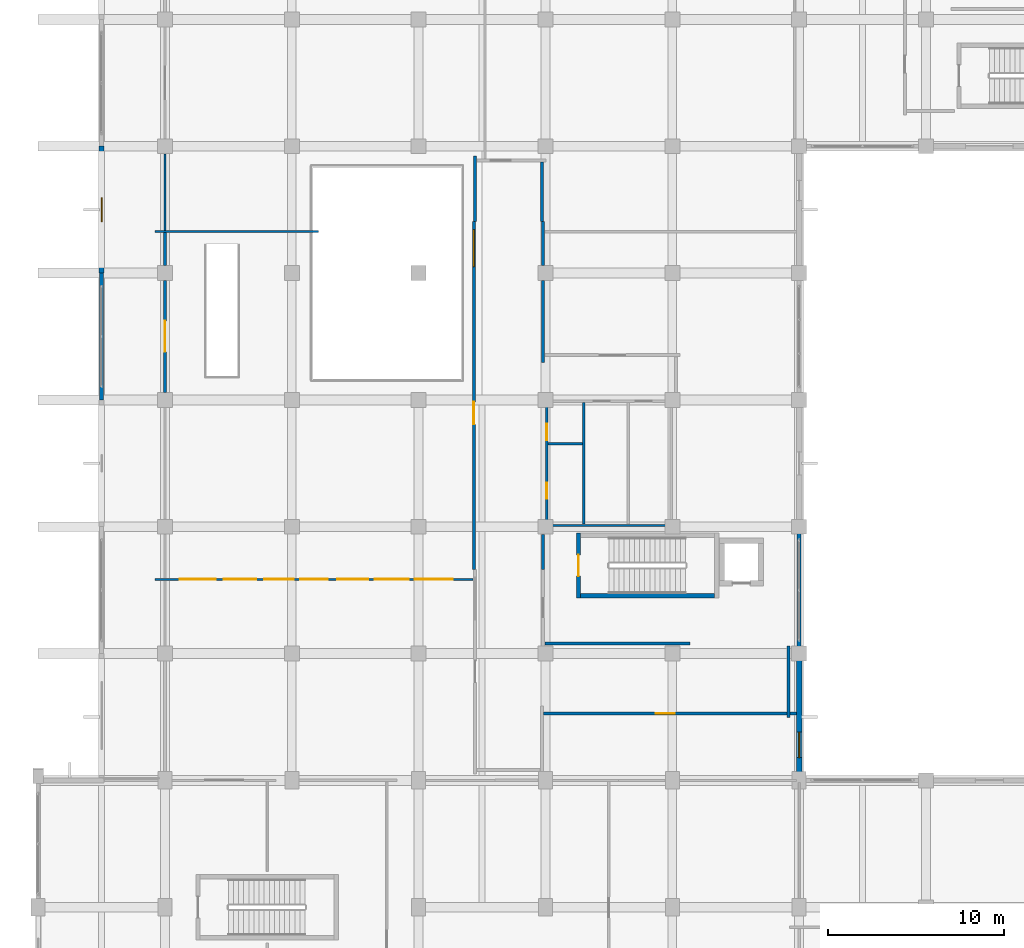
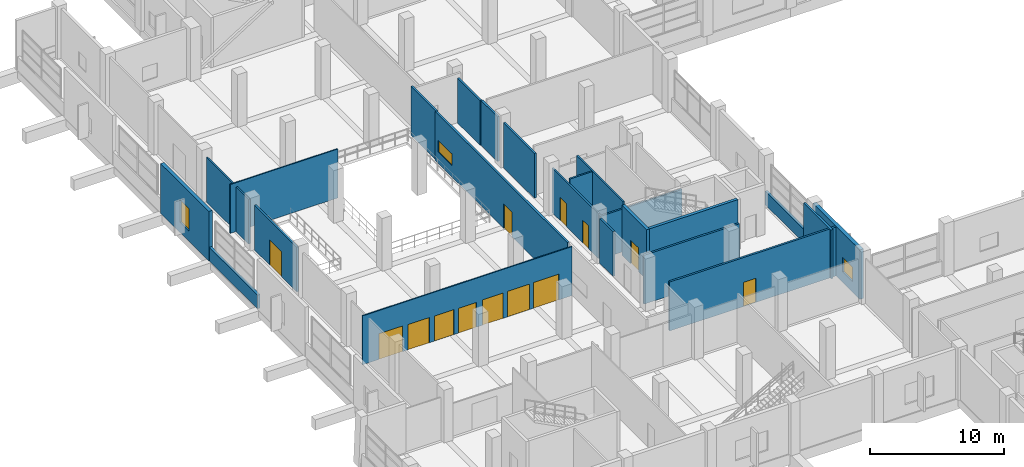
# One storey, part 156 of 181: 24 walls, 13 doors, 3 windows, 16 openings.
"""IFC4 building model written with IfcOpenShell, lengths in metres."""

from ifc_helpers import new_model, si_unit, direction, frame, frame_2d, origin, place, context, subcontext, project, spatial, rectangle, extrude, material, layer, layer_set, type_object, element, fill, save


model = new_model("IFC4")

# Units and contexts
model_context = context("Model", 3, precision=1e-05, world=origin(), true_north=direction((0.0, 1.0)))
body_context = subcontext(model_context, "Body", "Model", "MODEL_VIEW")
ifc_project = project(units=[si_unit("LENGTHUNIT", "METRE"), si_unit("AREAUNIT", "SQUARE_METRE"), si_unit("VOLUMEUNIT", "CUBIC_METRE"), si_unit("PLANEANGLEUNIT", "RADIAN"), si_unit("MASSUNIT", "GRAM", prefix="KILO")], contexts=[model_context])

# Site, building, storey
site_placement = place(None, origin())
site = spatial("IfcSite", under=ifc_project, at=site_placement, CompositionType="ELEMENT")
building_placement = place(site_placement, origin())
building = spatial("IfcBuilding", under=site, at=building_placement, Name="Seraya Terrace Polytechnic", CompositionType="ELEMENT")
storey_placement = place(building_placement, frame((0.0, 0.0, 4.800048828125)))
storey = spatial("IfcBuildingStorey", under=building, at=storey_placement, Name="L01", CompositionType="ELEMENT", Elevation=4.800048828125)

# Wall, opening, window
ifc_material_1 = material(Name="Concrete C40/50", Category="concrete")
ifc_layer_1 = layer(ifc_material_1, 0.300048828125, Name="EW-01")
ifc_layer_set_1 = layer_set([ifc_layer_1], Name="Concrete C40/50")
wall_type_1 = type_object("IfcWallType", Name="EW-01", PredefinedType="SOLIDWALL", material=ifc_layer_set_1)
wall_1_placement = place(storey_placement, frame((3.60009765625, 57.60009765625, 0.0), z_axis=(0.0, 0.0, 1.0), x_axis=(0.0, 1.0, 0.0)))
wall_1 = element("IfcWall", 1, at=wall_1_placement, inside=storey, type_object=wall_type_1, Name="Exterior structural wall EW-01 L01", PredefinedType="SOLIDWALL", context=body_context, shape_type="SweptSolid", body=[
    extrude(rectangle(XDim=7.199951171875, YDim=0.300048828125, at=frame_2d((3.60009765625, 0.0))), origin(), (0.0, 0.0, 1.0), 4.52001953125),
])
opening_1_placement = place(wall_1_placement, frame((2.925048828125, 0.0, 0.949951171875)))
opening_1 = element("IfcOpeningElement", 2, at=opening_1_placement, cuts=wall_1, Name="Opening WN-38", PredefinedType="OPENING", context=body_context, shape_type="SweptSolid", body=[
    extrude(rectangle(XDim=1.35009765625, YDim=2.050048828125, at=frame_2d((0.675048828125, 1.02490234375))), frame((0.0, 0.162109375, 0.0), z_axis=(0.0, -1.0, 0.0), x_axis=(1.0, 0.0, 0.0)), (0.0, 0.0, 1.0), 0.323974609375),
])
ifc_material_2 = material(Name="Laminated solar-control Low-E double glazing", Category="glass")
window_type_1 = type_object("IfcWindowType", Name="WN-38", PartitioningType="SINGLE_PANEL", PredefinedType="WINDOW", material=ifc_material_2)
window_1_placement = place(opening_1_placement, origin())
window_1 = element("IfcWindow", 3, at=window_1_placement, inside=storey, type_object=window_type_1, Name="Exterior window WN-38 L01", OverallHeight=2.050048828125, OverallWidth=1.35009765625, PartitioningType="SINGLE_PANEL", PredefinedType="WINDOW", context=body_context, shape_type="SweptSolid", body=[
    extrude(rectangle(XDim=1.35009765625, YDim=2.050048828125, at=frame_2d((0.675048828125, 1.02490234375))), frame((0.0, 0.030029296875, 0.0), z_axis=(0.0, -1.0, 0.0), x_axis=(1.0, 0.0, 0.0)), (0.0, 0.0, 1.0), 0.06005859375),
])
fill(opening_1, window_1)

wall_2_placement = place(storey_placement, frame((43.199951171875, 36.0, 0.0), z_axis=(0.0, 0.0, 1.0), x_axis=(0.0, -1.0, 0.0)))
wall_2 = element("IfcWall", 4, at=wall_2_placement, inside=storey, type_object=wall_type_1, Name="Exterior structural wall EW-01 L01", PredefinedType="SOLIDWALL", context=body_context, shape_type="SweptSolid", body=[
    extrude(rectangle(XDim=7.033935546875, YDim=0.300048828125, at=frame_2d((3.51708984375, 0.0))), origin(), (0.0, 0.0, 1.0), 4.52001953125),
])
opening_2_placement = place(wall_2_placement, frame((4.451904296875, 0.0, 0.949951171875)))
opening_2 = element("IfcOpeningElement", 5, at=opening_2_placement, cuts=wall_2, Name="Opening WN-04", PredefinedType="OPENING", context=body_context, shape_type="SweptSolid", body=[
    extrude(rectangle(XDim=1.449951171875, YDim=1.300048828125, at=frame_2d((0.72509765625, 0.64990234375))), frame((0.0, 0.162109375, 0.0), z_axis=(0.0, -1.0, 0.0), x_axis=(1.0, 0.0, 0.0)), (0.0, 0.0, 1.0), 0.323974609375),
])
window_type_2 = type_object("IfcWindowType", Name="WN-04", PartitioningType="SINGLE_PANEL", PredefinedType="WINDOW", material=ifc_material_2)
window_2_placement = place(opening_2_placement, origin())
window_2 = element("IfcWindow", 6, at=window_2_placement, inside=storey, type_object=window_type_2, Name="Exterior window WN-04 L01", OverallHeight=1.300048828125, OverallWidth=1.449951171875, PartitioningType="SINGLE_PANEL", PredefinedType="WINDOW", context=body_context, shape_type="SweptSolid", body=[
    extrude(rectangle(XDim=1.449951171875, YDim=1.300048828125, at=frame_2d((0.72509765625, 0.64990234375))), frame((0.0, 0.030029296875, 0.0), z_axis=(0.0, -1.0, 0.0), x_axis=(1.0, 0.0, 0.0)), (0.0, 0.0, 1.0), 0.06005859375),
])
fill(opening_2, window_2)

# Walls
ifc_material_3 = material(Name="Precast concrete C40/50", Category="concrete")
ifc_layer_2 = layer(ifc_material_3, 0.219970703125, Name="EW-05")
ifc_layer_set_2 = layer_set([ifc_layer_2], Name="Precast concrete C40/50")
wall_type_2 = type_object("IfcWallType", Name="EW-05", PredefinedType="SOLIDWALL", material=ifc_layer_set_2)
wall_3_placement = place(storey_placement, frame((3.60009765625, 50.39990234375, 0.0), z_axis=(0.0, 0.0, 1.0), x_axis=(0.0, 1.0, 0.0)))
element("IfcWall", 7, at=wall_3_placement, inside=storey, type_object=wall_type_2, Name="Precast spandrel wall L01", PredefinedType="SOLIDWALL", context=body_context, shape_type="SweptSolid", body=[
    extrude(rectangle(XDim=7.2001953125, YDim=0.219970703125, at=frame_2d((3.60009765625, 0.0))), origin(), (0.0, 0.0, 1.0), 1.239990234375),
])
wall_4_placement = place(storey_placement, frame((43.199951171875, 43.199951171875, 0.0), z_axis=(0.0, 0.0, 1.0), x_axis=(0.0, -1.0, 0.0)))
element("IfcWall", 8, at=wall_4_placement, inside=storey, type_object=wall_type_2, Name="Precast spandrel wall L01", PredefinedType="SOLIDWALL", context=body_context, shape_type="SweptSolid", body=[
    extrude(rectangle(XDim=7.199951171875, YDim=0.219970703125, at=frame_2d((3.60009765625, 0.0))), origin(), (0.0, 0.0, 1.0), 1.239990234375),
])

# Wall, openings, door, window
ifc_material_4 = material(Name="Autoclaved aerated concrete blockwork", Category="masonry")
ifc_layer_3 = layer(ifc_material_4, 0.169921875, Name="PT-02")
ifc_layer_set_3 = layer_set([ifc_layer_3], Name="Autoclaved aerated concrete blockwork")
wall_type_3 = type_object("IfcWallType", Name="PT-02", PredefinedType="PARTITIONING", material=ifc_layer_set_3)
wall_5_placement = place(storey_placement, frame((24.72998046875, 40.781494140625, 0.0), z_axis=(0.0, 0.0, 1.0), x_axis=(0.0, 1.0, 0.0)))
wall_5 = element("IfcWall", 9, at=wall_5_placement, inside=storey, type_object=wall_type_3, Name="Internal partition PT-02 L01", PredefinedType="PARTITIONING", context=body_context, shape_type="SweptSolid", body=[
    extrude(rectangle(XDim=19.7333984375, YDim=0.169921875, at=frame_2d((9.86669921875, 0.0))), origin(), (0.0, 0.0, 1.0), 4.4599609375),
])
opening_3_placement = place(wall_5_placement, frame((8.226806640625, 0.0, 0.0)))
opening_3 = element("IfcOpeningElement", 10, at=opening_3_placement, cuts=wall_5, Name="Opening ID-08", PredefinedType="OPENING", context=body_context, shape_type="SweptSolid", body=[
    extrude(rectangle(XDim=1.280029296875, YDim=2.219970703125, at=frame_2d((0.64013671875, 1.10986328125))), frame((0.0, 0.096923828125, 0.0), z_axis=(0.0, -1.0, 0.0), x_axis=(1.0, 0.0, 0.0)), (0.0, 0.0, 1.0), 0.19384765625),
])
opening_4_placement = place(wall_5_placement, frame((17.18359375, 0.0, 1.050048828125)))
opening_4 = element("IfcOpeningElement", 11, at=opening_4_placement, cuts=wall_5, Name="Opening IW-03", PredefinedType="OPENING", context=body_context, shape_type="SweptSolid", body=[
    extrude(rectangle(XDim=2.10009765625, YDim=1.050048828125, at=frame_2d((1.050048828125, 0.52490234375))), frame((0.0, 0.096923828125, 0.0), z_axis=(0.0, -1.0, 0.0), x_axis=(1.0, 0.0, 0.0)), (0.0, 0.0, 1.0), 0.19384765625),
])
ifc_material_5 = material(Name="Malaysian dark red meranti hardwood timber D40", Category="wood")
door_type_1 = type_object("IfcDoorType", Name="ID-08", OperationType="NOTDEFINED", PredefinedType="DOOR", material=ifc_material_5)
door_1_placement = place(opening_3_placement, frame((1.280029296875, 0.0, 0.0), z_axis=(0.0, 0.0, 1.0), x_axis=(-1.0, 0.0, 0.0)))
door_1 = element("IfcDoor", 12, at=door_1_placement, inside=storey, type_object=door_type_1, Name="Door ID-08 DR-INT-L01-0069 in WL-INT-L01-0300", OperationType="SINGLE_SWING_RIGHT", OverallHeight=2.219970703125, OverallWidth=1.280029296875, PredefinedType="DOOR", context=body_context, shape_type="SweptSolid", body=[
    extrude(rectangle(XDim=1.280029296875, YDim=2.219970703125, at=frame_2d((0.64013671875, 1.10986328125))), frame((0.0, 0.02490234375, 0.0), z_axis=(0.0, -1.0, 0.0), x_axis=(1.0, 0.0, 0.0)), (0.0, 0.0, 1.0), 0.050048828125),
])
fill(opening_3, door_1)
window_type_3 = type_object("IfcWindowType", Name="IW-03", PartitioningType="SINGLE_PANEL", PredefinedType="WINDOW", material=ifc_material_2)
window_3_placement = place(opening_4_placement, origin())
window_3 = element("IfcWindow", 13, at=window_3_placement, inside=storey, type_object=window_type_3, Name="Internal lab vision window IW-03 L01", OverallHeight=1.050048828125, OverallWidth=2.10009765625, PartitioningType="SINGLE_PANEL", PredefinedType="WINDOW", context=body_context, shape_type="SweptSolid", body=[
    extrude(rectangle(XDim=2.10009765625, YDim=1.050048828125, at=frame_2d((1.050048828125, 0.52490234375))), frame((0.0, 0.030029296875, 0.0), z_axis=(0.0, -1.0, 0.0), x_axis=(1.0, 0.0, 0.0)), (0.0, 0.0, 1.0), 0.06005859375),
])
fill(opening_4, window_3)

# Walls
wall_6_placement = place(storey_placement, frame((24.800048828125, 60.514892578125, 0.0), z_axis=(0.0, 0.0, 1.0), x_axis=(0.0, 1.0, 0.0)))
element("IfcWall", 14, at=wall_6_placement, inside=storey, type_object=wall_type_3, Name="Internal partition PT-02 L01", PredefinedType="PARTITIONING", context=body_context, shape_type="SweptSolid", body=[
    extrude(rectangle(XDim=3.72509765625, YDim=0.169921875, at=frame_2d((1.862548828125, 0.0))), origin(), (0.0, 0.0, 1.0), 4.4599609375),
])
wall_7_placement = place(storey_placement, frame((28.669921875, 52.530029296875, 0.0), z_axis=(0.0, 0.0, 1.0), x_axis=(0.0, 1.0, 0.0)))
element("IfcWall", 15, at=wall_7_placement, inside=storey, type_object=wall_type_3, Name="Internal partition PT-02 L01", PredefinedType="PARTITIONING", context=body_context, shape_type="SweptSolid", body=[
    extrude(rectangle(XDim=4.635009765625, YDim=0.169921875, at=frame_2d((2.3173828125, 0.0))), origin(), (0.0, 0.0, 1.0), 4.079833984375),
])
wall_8_placement = place(storey_placement, frame((28.669921875, 58.034912109375, 0.0), z_axis=(0.0, 0.0, 1.0), x_axis=(0.0, 1.0, 0.0)))
element("IfcWall", 16, at=wall_8_placement, inside=storey, type_object=wall_type_3, Name="Internal partition PT-02 L01", PredefinedType="PARTITIONING", context=body_context, shape_type="SweptSolid", body=[
    extrude(rectangle(XDim=2.47998046875, YDim=0.169921875, at=frame_2d((1.239990234375, 0.0))), origin(), (0.0, 0.0, 1.0), 4.079833984375),
])
wall_9_placement = place(storey_placement, frame((28.669921875, 40.77001953125, 0.0), z_axis=(0.0, 0.0, 1.0), x_axis=(0.0, 1.0, 0.0)))
element("IfcWall", 17, at=wall_9_placement, inside=storey, type_object=wall_type_3, Name="Internal partition PT-02 L01", PredefinedType="PARTITIONING", context=body_context, shape_type="SweptSolid", body=[
    extrude(rectangle(XDim=1.994873046875, YDim=0.169921875, at=frame_2d((0.99755859375, 0.0))), origin(), (0.0, 0.0, 1.0), 4.079833984375),
])
wall_10_placement = place(storey_placement, frame((28.60009765625, 60.514892578125, 0.0), z_axis=(0.0, 0.0, 1.0), x_axis=(0.0, 1.0, 0.0)))
element("IfcWall", 18, at=wall_10_placement, inside=storey, type_object=wall_type_3, Name="Internal partition PT-02 L01", PredefinedType="PARTITIONING", context=body_context, shape_type="SweptSolid", body=[
    extrude(rectangle(XDim=3.385009765625, YDim=0.169921875, at=frame_2d((1.6923828125, 0.0))), origin(), (0.0, 0.0, 1.0), 4.079833984375),
])
wall_11_placement = place(storey_placement, frame((28.77001953125, 36.570068359375, 0.0), z_axis=(0.0, 0.0, 1.0), x_axis=(1.0, 0.0, 0.0)))
element("IfcWall", 19, at=wall_11_placement, inside=storey, type_object=wall_type_3, Name="Internal partition PT-02 L01", PredefinedType="PARTITIONING", context=body_context, shape_type="SweptSolid", body=[
    extrude(rectangle(XDim=8.241943359375, YDim=0.169921875, at=frame_2d((4.12109375, 0.0))), origin(), (0.0, 0.0, 1.0), 4.4599609375),
])
wall_12_placement = place(storey_placement, frame((42.60009765625, 32.360107421875, 0.0), z_axis=(0.0, 0.0, 1.0), x_axis=(0.0, 1.0, 0.0)))
element("IfcWall", 20, at=wall_12_placement, inside=storey, type_object=wall_type_3, Name="Internal partition PT-02 L01", PredefinedType="PARTITIONING", context=body_context, shape_type="SweptSolid", body=[
    extrude(rectangle(XDim=4.08203125, YDim=0.169921875, at=frame_2d((2.041015625, 0.0))), origin(), (0.0, 0.0, 1.0), 4.4599609375),
])

# Wall, opening, door
wall_13_placement = place(storey_placement, frame((28.699951171875, 32.60009765625, 0.0), z_axis=(0.0, 0.0, 1.0), x_axis=(1.0, 0.0, 0.0)))
wall_13 = element("IfcWall", 21, at=wall_13_placement, inside=storey, type_object=wall_type_3, Name="Internal partition PT-02 L01", PredefinedType="PARTITIONING", context=body_context, shape_type="SweptSolid", body=[
    extrude(rectangle(XDim=14.338134765625, YDim=0.169921875, at=frame_2d((7.1689453125, 0.0))), origin(), (0.0, 0.0, 1.0), 4.4599609375),
])
opening_5_placement = place(wall_13_placement, frame((6.360107421875, 0.0, 0.0)))
opening_5 = element("IfcOpeningElement", 22, at=opening_5_placement, cuts=wall_13, Name="Opening ID-05", PredefinedType="OPENING", context=body_context, shape_type="SweptSolid", body=[
    extrude(rectangle(XDim=1.080078125, YDim=2.199951171875, at=frame_2d((0.5400390625, 1.10009765625))), frame((0.0, 0.096923828125, 0.0), z_axis=(0.0, -1.0, 0.0), x_axis=(1.0, 0.0, 0.0)), (0.0, 0.0, 1.0), 0.19384765625),
])
door_type_2 = type_object("IfcDoorType", Name="ID-05", OperationType="NOTDEFINED", PredefinedType="DOOR", material=ifc_material_5)
door_2_placement = place(opening_5_placement, origin())
door_2 = element("IfcDoor", 23, at=door_2_placement, inside=storey, type_object=door_type_2, Name="Door ID-05 DR-INT-L01-0082 in WL-INT-L01-0312", OperationType="SINGLE_SWING_LEFT", OverallHeight=2.199951171875, OverallWidth=1.080078125, PredefinedType="DOOR", context=body_context, shape_type="SweptSolid", body=[
    extrude(rectangle(XDim=1.080078125, YDim=2.199951171875, at=frame_2d((0.5400390625, 1.10009765625))), frame((0.0, 0.02490234375, 0.0), z_axis=(0.0, -1.0, 0.0), x_axis=(1.0, 0.0, 0.0)), (0.0, 0.0, 1.0), 0.050048828125),
])
fill(opening_5, door_2)

ifc_layer_4 = layer(ifc_material_4, 0.14990234375, Name="PT-03")
ifc_layer_set_4 = layer_set([ifc_layer_4], Name="Autoclaved aerated concrete blockwork")
wall_type_4 = type_object("IfcWallType", Name="PT-03", PredefinedType="PARTITIONING", material=ifc_layer_set_4)
wall_14_placement = place(storey_placement, frame((7.199951171875, 50.8349609375, 0.0), z_axis=(0.0, 0.0, 1.0), x_axis=(0.0, 1.0, 0.0)))
wall_14 = element("IfcWall", 24, at=wall_14_placement, inside=storey, type_object=wall_type_4, Name="Internal partition PT-03 L01", PredefinedType="PARTITIONING", context=body_context, shape_type="SweptSolid", body=[
    extrude(rectangle(XDim=6.330078125, YDim=0.14990234375, at=frame_2d((3.1650390625, 0.0))), origin(), (0.0, 0.0, 1.0), 4.079833984375),
])
opening_6_placement = place(wall_14_placement, frame((2.284912109375, 0.0, 0.0)))
opening_6 = element("IfcOpeningElement", 25, at=opening_6_placement, cuts=wall_14, Name="Opening ID-14", PredefinedType="OPENING", context=body_context, shape_type="SweptSolid", body=[
    extrude(rectangle(XDim=1.760009765625, YDim=2.300048828125, at=frame_2d((0.8798828125, 1.14990234375))), frame((0.0, 0.0869140625, 0.0), z_axis=(0.0, -1.0, 0.0), x_axis=(1.0, 0.0, 0.0)), (0.0, 0.0, 1.0), 0.173828125),
])
door_type_3 = type_object("IfcDoorType", Name="ID-14", OperationType="DOUBLE_DOOR_SINGLE_SWING", PredefinedType="DOOR", material=ifc_material_5)
door_3_placement = place(opening_6_placement, frame((1.760009765625, 0.0, 0.0), z_axis=(0.0, 0.0, 1.0), x_axis=(-1.0, 0.0, 0.0)))
door_3 = element("IfcDoor", 26, at=door_3_placement, inside=storey, type_object=door_type_3, Name="Door ID-14 DR-INT-L01-0091 in WL-INT-L01-0334", OperationType="DOUBLE_DOOR_SINGLE_SWING", OverallHeight=2.300048828125, OverallWidth=1.760009765625, PredefinedType="DOOR", context=body_context, shape_type="SweptSolid", body=[
    extrude(rectangle(XDim=1.760009765625, YDim=2.300048828125, at=frame_2d((0.8798828125, 1.14990234375))), frame((0.0, 0.02490234375, 0.0), z_axis=(0.0, -1.0, 0.0), x_axis=(1.0, 0.0, 0.0)), (0.0, 0.0, 1.0), 0.050048828125),
])
fill(opening_6, door_3)

# Walls
wall_15_placement = place(storey_placement, frame((7.199951171875, 58.034912109375, 0.0), z_axis=(0.0, 0.0, 1.0), x_axis=(0.0, 1.0, 0.0)))
element("IfcWall", 27, at=wall_15_placement, inside=storey, type_object=wall_type_4, Name="Internal partition PT-03 L01", PredefinedType="PARTITIONING", context=body_context, shape_type="SweptSolid", body=[
    extrude(rectangle(XDim=1.85498046875, YDim=0.14990234375, at=frame_2d((0.927490234375, 0.0))), origin(), (0.0, 0.0, 1.0), 4.079833984375),
])
ifc_layer_5 = layer(ifc_material_4, 0.139892578125, Name="PT-04")
ifc_layer_set_5 = layer_set([ifc_layer_5], Name="Autoclaved aerated concrete blockwork")
wall_type_5 = type_object("IfcWallType", Name="PT-04", PredefinedType="PARTITIONING", material=ifc_layer_set_5)
wall_16_placement = place(storey_placement, frame((28.8701171875, 43.27001953125, 0.0), z_axis=(0.0, 0.0, 1.0), x_axis=(1.0, 0.0, 0.0)))
element("IfcWall", 28, at=wall_16_placement, inside=storey, type_object=wall_type_5, Name="Sanitary WC-B South wall L01", PredefinedType="PARTITIONING", context=body_context, shape_type="SweptSolid", body=[
    extrude(rectangle(XDim=7.059814453125, YDim=0.139892578125, at=frame_2d((3.52978515625, 0.0))), origin(), (0.0, 0.0, 1.0), 3.89990234375),
])

# Wall, openings, doors
wall_17_placement = place(storey_placement, frame((28.8701171875, 43.35009765625, 0.0), z_axis=(0.0, 0.0, 1.0), x_axis=(0.0, 1.0, 0.0)))
wall_17 = element("IfcWall", 29, at=wall_17_placement, inside=storey, type_object=wall_type_5, Name="Sanitary WC-B West wall L01", PredefinedType="PARTITIONING", context=body_context, shape_type="SweptSolid", body=[
    extrude(rectangle(XDim=6.89990234375, YDim=0.139892578125, at=frame_2d((3.449951171875, 0.0))), origin(), (0.0, 0.0, 1.0), 4.079833984375),
])
opening_7_placement = place(wall_17_placement, frame((1.449951171875, 0.0, 0.0)))
opening_7 = element("IfcOpeningElement", 30, at=opening_7_placement, cuts=wall_17, Name="Opening ID-02", PredefinedType="OPENING", context=body_context, shape_type="SweptSolid", body=[
    extrude(rectangle(XDim=0.89990234375, YDim=2.080078125, at=frame_2d((0.449951171875, 1.0400390625))), frame((0.0, 0.08203125, 0.0), z_axis=(0.0, -1.0, 0.0), x_axis=(1.0, 0.0, 0.0)), (0.0, 0.0, 1.0), 0.163818359375),
])
opening_8_placement = place(wall_17_placement, frame((4.75, 0.0, 0.0)))
opening_8 = element("IfcOpeningElement", 31, at=opening_8_placement, cuts=wall_17, Name="Opening ID-01", PredefinedType="OPENING", context=body_context, shape_type="SweptSolid", body=[
    extrude(rectangle(XDim=0.93994140625, YDim=2.10009765625, at=frame_2d((0.469970703125, 1.050048828125))), frame((0.0, 0.08203125, 0.0), z_axis=(0.0, -1.0, 0.0), x_axis=(1.0, 0.0, 0.0)), (0.0, 0.0, 1.0), 0.163818359375),
])
door_type_4 = type_object("IfcDoorType", Name="ID-01", OperationType="NOTDEFINED", PredefinedType="DOOR", material=ifc_material_5)
door_4_placement = place(opening_8_placement, origin())
door_4 = element("IfcDoor", 32, at=door_4_placement, inside=storey, type_object=door_type_4, Name="Door ID-01 DR-WC-WC-B-L01-OKU in WL-WC-WC-B-L01-W", OperationType="SINGLE_SWING_LEFT", OverallHeight=2.10009765625, OverallWidth=0.93994140625, PredefinedType="DOOR", context=body_context, shape_type="SweptSolid", body=[
    extrude(rectangle(XDim=0.93994140625, YDim=2.10009765625, at=frame_2d((0.469970703125, 1.050048828125))), frame((0.0, 0.02490234375, 0.0), z_axis=(0.0, -1.0, 0.0), x_axis=(1.0, 0.0, 0.0)), (0.0, 0.0, 1.0), 0.050048828125),
])
fill(opening_8, door_4)
door_type_5 = type_object("IfcDoorType", Name="ID-02", OperationType="NOTDEFINED", PredefinedType="DOOR", material=ifc_material_5)
door_5_placement = place(opening_7_placement, frame((0.89990234375, 0.0, 0.0), z_axis=(0.0, 0.0, 1.0), x_axis=(-1.0, 0.0, 0.0)))
door_5 = element("IfcDoor", 33, at=door_5_placement, inside=storey, type_object=door_type_5, Name="Door ID-02 DR-WC-WC-B-L01-CLN in WL-WC-WC-B-L01-W", OperationType="SINGLE_SWING_RIGHT", OverallHeight=2.080078125, OverallWidth=0.89990234375, PredefinedType="DOOR", context=body_context, shape_type="SweptSolid", body=[
    extrude(rectangle(XDim=0.89990234375, YDim=2.080078125, at=frame_2d((0.449951171875, 1.0400390625))), frame((0.0, 0.02490234375, 0.0), z_axis=(0.0, -1.0, 0.0), x_axis=(1.0, 0.0, 0.0)), (0.0, 0.0, 1.0), 0.050048828125),
])
fill(opening_7, door_5)

# Walls
wall_18_placement = place(storey_placement, frame((30.97998046875, 43.35009765625, 0.0), z_axis=(0.0, 0.0, 1.0), x_axis=(0.0, 1.0, 0.0)))
element("IfcWall", 34, at=wall_18_placement, inside=storey, type_object=wall_type_5, Name="Sanitary WC-B OKU/Male divider L01", PredefinedType="PARTITIONING", context=body_context, shape_type="SweptSolid", body=[
    extrude(rectangle(XDim=6.89990234375, YDim=0.139892578125, at=frame_2d((3.449951171875, 0.0))), origin(), (0.0, 0.0, 1.0), 4.4599609375),
])
wall_19_placement = place(storey_placement, frame((28.949951171875, 47.919921875, 0.0), z_axis=(0.0, 0.0, 1.0), x_axis=(1.0, 0.0, 0.0)))
element("IfcWall", 35, at=wall_19_placement, inside=storey, type_object=wall_type_5, Name="Sanitary WC-B OKU/Cleaner divider L01", PredefinedType="PARTITIONING", context=body_context, shape_type="SweptSolid", body=[
    extrude(rectangle(XDim=1.949951171875, YDim=0.139892578125, at=frame_2d((0.97509765625, 0.0))), origin(), (0.0, 0.0, 1.0), 4.4599609375),
])
ifc_layer_6 = layer(ifc_material_4, 0.1201171875, Name="PT-05")
ifc_layer_set_6 = layer_set([ifc_layer_6], Name="Autoclaved aerated concrete blockwork")
wall_type_6 = type_object("IfcWallType", Name="PT-05", PredefinedType="PARTITIONING", material=ifc_layer_set_6)
wall_20_placement = place(storey_placement, frame((7.199951171875, 60.02001953125, 0.0), z_axis=(0.0, 0.0, 1.0), x_axis=(0.0, 1.0, 0.0)))
element("IfcWall", 36, at=wall_20_placement, inside=storey, type_object=wall_type_6, Name="Internal partition PT-05 L01", PredefinedType="PARTITIONING", context=body_context, shape_type="SweptSolid", body=[
    extrude(rectangle(XDim=4.344970703125, YDim=0.1201171875, at=frame_2d((2.17236328125, 0.0))), origin(), (0.0, 0.0, 1.0), 4.079833984375),
])

# Wall, openings, doors
ifc_layer_7 = layer(ifc_material_4, 0.10009765625, Name="PT-06")
ifc_layer_set_7 = layer_set([ifc_layer_7], Name="Autoclaved aerated concrete blockwork")
wall_type_7 = type_object("IfcWallType", Name="PT-06", PredefinedType="PARTITIONING", material=ifc_layer_set_7)
wall_21_placement = place(storey_placement, frame((6.639892578125, 40.2099609375, 0.0), z_axis=(0.0, 0.0, 1.0), x_axis=(1.0, 0.0, 0.0)))
wall_21 = element("IfcWall", 37, at=wall_21_placement, inside=storey, type_object=wall_type_7, Name="Internal partition PT-06 L01", PredefinedType="PARTITIONING", context=body_context, shape_type="SweptSolid", body=[
    extrude(rectangle(XDim=18.06005859375, YDim=0.10009765625, at=frame_2d((9.030029296875, 0.0))), origin(), (0.0, 0.0, 1.0), 4.4599609375),
])
opening_9_placement = place(wall_21_placement, frame((8.25, 0.0, 0.0)))
opening_9 = element("IfcOpeningElement", 38, at=opening_9_placement, cuts=wall_21, Name="Opening ID-12", PredefinedType="OPENING", context=body_context, shape_type="SweptSolid", body=[
    extrude(rectangle(XDim=1.56005859375, YDim=2.260009765625, at=frame_2d((0.780029296875, 1.1298828125))), frame((0.0, 0.06201171875, 0.0), z_axis=(0.0, -1.0, 0.0), x_axis=(1.0, 0.0, 0.0)), (0.0, 0.0, 1.0), 0.1240234375),
])
opening_10_placement = place(wall_21_placement, frame((6.18994140625, 0.0, 0.0)))
opening_10 = element("IfcOpeningElement", 39, at=opening_10_placement, cuts=wall_21, Name="Opening ID-13", PredefinedType="OPENING", context=body_context, shape_type="SweptSolid", body=[
    extrude(rectangle(XDim=1.679931640625, YDim=2.280029296875, at=frame_2d((0.83984375, 1.14013671875))), frame((0.0, 0.06201171875, 0.0), z_axis=(0.0, -1.0, 0.0), x_axis=(1.0, 0.0, 0.0)), (0.0, 0.0, 1.0), 0.1240234375),
])
opening_11_placement = place(wall_21_placement, frame((10.35009765625, 0.0, 0.0)))
opening_11 = element("IfcOpeningElement", 40, at=opening_11_placement, cuts=wall_21, Name="Opening ID-14", PredefinedType="OPENING", context=body_context, shape_type="SweptSolid", body=[
    extrude(rectangle(XDim=1.760009765625, YDim=2.300048828125, at=frame_2d((0.8798828125, 1.14990234375))), frame((0.0, 0.06201171875, 0.0), z_axis=(0.0, -1.0, 0.0), x_axis=(1.0, 0.0, 0.0)), (0.0, 0.0, 1.0), 0.1240234375),
])
opening_12_placement = place(wall_21_placement, frame((3.909912109375, 0.0, 0.0)))
opening_12 = element("IfcOpeningElement", 41, at=opening_12_placement, cuts=wall_21, Name="Opening ID-15", PredefinedType="OPENING", context=body_context, shape_type="SweptSolid", body=[
    extrude(rectangle(XDim=1.840087890625, YDim=2.300048828125, at=frame_2d((0.919921875, 1.14990234375))), frame((0.0, 0.06201171875, 0.0), z_axis=(0.0, -1.0, 0.0), x_axis=(1.0, 0.0, 0.0)), (0.0, 0.0, 1.0), 0.1240234375),
])
opening_13_placement = place(wall_21_placement, frame((12.469970703125, 0.0, 0.0)))
opening_13 = element("IfcOpeningElement", 42, at=opening_13_placement, cuts=wall_21, Name="Opening ID-16", PredefinedType="OPENING", context=body_context, shape_type="SweptSolid", body=[
    extrude(rectangle(XDim=1.919921875, YDim=2.320068359375, at=frame_2d((0.9599609375, 1.16015625))), frame((0.0, 0.06201171875, 0.0), z_axis=(0.0, -1.0, 0.0), x_axis=(1.0, 0.0, 0.0)), (0.0, 0.0, 1.0), 0.1240234375),
])
opening_14_placement = place(wall_21_placement, frame((1.409912109375, 0.0, 0.0)))
opening_14 = element("IfcOpeningElement", 43, at=opening_14_placement, cuts=wall_21, Name="Opening ID-17", PredefinedType="OPENING", context=body_context, shape_type="SweptSolid", body=[
    extrude(rectangle(XDim=2.0400390625, YDim=2.340087890625, at=frame_2d((1.02001953125, 1.169921875))), frame((0.0, 0.06201171875, 0.0), z_axis=(0.0, -1.0, 0.0), x_axis=(1.0, 0.0, 0.0)), (0.0, 0.0, 1.0), 0.1240234375),
])
opening_15_placement = place(wall_21_placement, frame((14.75, 0.0, 0.0)))
opening_15 = element("IfcOpeningElement", 44, at=opening_15_placement, cuts=wall_21, Name="Opening ID-18", PredefinedType="OPENING", context=body_context, shape_type="SweptSolid", body=[
    extrude(rectangle(XDim=2.159912109375, YDim=2.35009765625, at=frame_2d((1.080078125, 1.175048828125))), frame((0.0, 0.06201171875, 0.0), z_axis=(0.0, -1.0, 0.0), x_axis=(1.0, 0.0, 0.0)), (0.0, 0.0, 1.0), 0.1240234375),
])
door_type_6 = type_object("IfcDoorType", Name="ID-12", OperationType="DOUBLE_DOOR_SINGLE_SWING", PredefinedType="DOOR", material=ifc_material_5)
door_6_placement = place(opening_9_placement, frame((1.56005859375, 0.0, 0.0), z_axis=(0.0, 0.0, 1.0), x_axis=(-1.0, 0.0, 0.0)))
door_6 = element("IfcDoor", 45, at=door_6_placement, inside=storey, type_object=door_type_6, Name="Door ID-12 DR-INT-L01-0121 in WL-INT-L01-0327", OperationType="DOUBLE_DOOR_SINGLE_SWING", OverallHeight=2.260009765625, OverallWidth=1.56005859375, PredefinedType="DOOR", context=body_context, shape_type="SweptSolid", body=[
    extrude(rectangle(XDim=1.56005859375, YDim=2.260009765625, at=frame_2d((0.780029296875, 1.1298828125))), frame((0.0, 0.02490234375, 0.0), z_axis=(0.0, -1.0, 0.0), x_axis=(1.0, 0.0, 0.0)), (0.0, 0.0, 1.0), 0.050048828125),
])
fill(opening_9, door_6)
door_type_7 = type_object("IfcDoorType", Name="ID-13", OperationType="DOUBLE_DOOR_SINGLE_SWING", PredefinedType="DOOR", material=ifc_material_5)
door_7_placement = place(opening_10_placement, origin())
door_7 = element("IfcDoor", 46, at=door_7_placement, inside=storey, type_object=door_type_7, Name="Door ID-13 DR-INT-L01-0122 in WL-INT-L01-0327", OperationType="DOUBLE_DOOR_SINGLE_SWING", OverallHeight=2.280029296875, OverallWidth=1.679931640625, PredefinedType="DOOR", context=body_context, shape_type="SweptSolid", body=[
    extrude(rectangle(XDim=1.679931640625, YDim=2.280029296875, at=frame_2d((0.83984375, 1.14013671875))), frame((0.0, 0.02490234375, 0.0), z_axis=(0.0, -1.0, 0.0), x_axis=(1.0, 0.0, 0.0)), (0.0, 0.0, 1.0), 0.050048828125),
])
fill(opening_10, door_7)
door_8_placement = place(opening_11_placement, frame((1.760009765625, 0.0, 0.0), z_axis=(0.0, 0.0, 1.0), x_axis=(-1.0, 0.0, 0.0)))
door_8 = element("IfcDoor", 47, at=door_8_placement, inside=storey, type_object=door_type_3, Name="Door ID-14 DR-INT-L01-0123 in WL-INT-L01-0327", OperationType="DOUBLE_DOOR_SINGLE_SWING", OverallHeight=2.300048828125, OverallWidth=1.760009765625, PredefinedType="DOOR", context=body_context, shape_type="SweptSolid", body=[
    extrude(rectangle(XDim=1.760009765625, YDim=2.300048828125, at=frame_2d((0.8798828125, 1.14990234375))), frame((0.0, 0.02490234375, 0.0), z_axis=(0.0, -1.0, 0.0), x_axis=(1.0, 0.0, 0.0)), (0.0, 0.0, 1.0), 0.050048828125),
])
fill(opening_11, door_8)
door_type_8 = type_object("IfcDoorType", Name="ID-15", OperationType="DOUBLE_DOOR_SINGLE_SWING", PredefinedType="DOOR", material=ifc_material_5)
door_9_placement = place(opening_12_placement, origin())
door_9 = element("IfcDoor", 48, at=door_9_placement, inside=storey, type_object=door_type_8, Name="Door ID-15 DR-INT-L01-0124 in WL-INT-L01-0327", OperationType="DOUBLE_DOOR_SINGLE_SWING", OverallHeight=2.300048828125, OverallWidth=1.840087890625, PredefinedType="DOOR", context=body_context, shape_type="SweptSolid", body=[
    extrude(rectangle(XDim=1.840087890625, YDim=2.300048828125, at=frame_2d((0.919921875, 1.14990234375))), frame((0.0, 0.02490234375, 0.0), z_axis=(0.0, -1.0, 0.0), x_axis=(1.0, 0.0, 0.0)), (0.0, 0.0, 1.0), 0.050048828125),
])
fill(opening_12, door_9)
door_type_9 = type_object("IfcDoorType", Name="ID-16", OperationType="DOUBLE_DOOR_SINGLE_SWING", PredefinedType="DOOR", material=ifc_material_5)
door_10_placement = place(opening_13_placement, frame((1.919921875, 0.0, 0.0), z_axis=(0.0, 0.0, 1.0), x_axis=(-1.0, 0.0, 0.0)))
door_10 = element("IfcDoor", 49, at=door_10_placement, inside=storey, type_object=door_type_9, Name="Door ID-16 DR-INT-L01-0125 in WL-INT-L01-0327", OperationType="DOUBLE_DOOR_SINGLE_SWING", OverallHeight=2.320068359375, OverallWidth=1.919921875, PredefinedType="DOOR", context=body_context, shape_type="SweptSolid", body=[
    extrude(rectangle(XDim=1.919921875, YDim=2.320068359375, at=frame_2d((0.9599609375, 1.16015625))), frame((0.0, 0.02490234375, 0.0), z_axis=(0.0, -1.0, 0.0), x_axis=(1.0, 0.0, 0.0)), (0.0, 0.0, 1.0), 0.050048828125),
])
fill(opening_13, door_10)
door_type_10 = type_object("IfcDoorType", Name="ID-17", OperationType="DOUBLE_DOOR_SINGLE_SWING", PredefinedType="DOOR", material=ifc_material_5)
door_11_placement = place(opening_14_placement, origin())
door_11 = element("IfcDoor", 50, at=door_11_placement, inside=storey, type_object=door_type_10, Name="Door ID-17 DR-INT-L01-0126 in WL-INT-L01-0327", OperationType="DOUBLE_DOOR_SINGLE_SWING", OverallHeight=2.340087890625, OverallWidth=2.0400390625, PredefinedType="DOOR", context=body_context, shape_type="SweptSolid", body=[
    extrude(rectangle(XDim=2.0400390625, YDim=2.340087890625, at=frame_2d((1.02001953125, 1.169921875))), frame((0.0, 0.02490234375, 0.0), z_axis=(0.0, -1.0, 0.0), x_axis=(1.0, 0.0, 0.0)), (0.0, 0.0, 1.0), 0.050048828125),
])
fill(opening_14, door_11)
door_type_11 = type_object("IfcDoorType", Name="ID-18", OperationType="DOUBLE_DOOR_SINGLE_SWING", PredefinedType="DOOR", material=ifc_material_5)
door_12_placement = place(opening_15_placement, frame((2.159912109375, 0.0, 0.0), z_axis=(0.0, 0.0, 1.0), x_axis=(-1.0, 0.0, 0.0)))
door_12 = element("IfcDoor", 51, at=door_12_placement, inside=storey, type_object=door_type_11, Name="Door ID-18 DR-INT-L01-0127 in WL-INT-L01-0327", OperationType="DOUBLE_DOOR_SINGLE_SWING", OverallHeight=2.35009765625, OverallWidth=2.159912109375, PredefinedType="DOOR", context=body_context, shape_type="SweptSolid", body=[
    extrude(rectangle(XDim=2.159912109375, YDim=2.35009765625, at=frame_2d((1.080078125, 1.175048828125))), frame((0.0, 0.02490234375, 0.0), z_axis=(0.0, -1.0, 0.0), x_axis=(1.0, 0.0, 0.0)), (0.0, 0.0, 1.0), 0.050048828125),
])
fill(opening_15, door_12)

# Wall
wall_22_placement = place(storey_placement, frame((6.639892578125, 59.955078125, 0.0), z_axis=(0.0, 0.0, 1.0), x_axis=(1.0, 0.0, 0.0)))
element("IfcWall", 52, at=wall_22_placement, inside=storey, type_object=wall_type_7, Name="Internal partition PT-06 L01", PredefinedType="PARTITIONING", context=body_context, shape_type="SweptSolid", body=[
    extrude(rectangle(XDim=9.27001953125, YDim=0.10009765625, at=frame_2d((4.635009765625, 0.0))), origin(), (0.0, 0.0, 1.0), 4.4599609375),
])

# Wall, opening, door
ifc_layer_8 = layer(ifc_material_1, 0.25, Name="SW-02")
ifc_layer_set_8 = layer_set([ifc_layer_8], Name="Concrete C40/50")
wall_type_8 = type_object("IfcWallType", Name="SW-02", PredefinedType="SHEAR", material=ifc_layer_set_8)
wall_23_placement = place(storey_placement, frame((30.675048828125, 39.14990234375, 0.0), z_axis=(0.0, 0.0, 1.0), x_axis=(0.0, 1.0, 0.0)))
wall_23 = element("IfcWall", 53, at=wall_23_placement, inside=storey, type_object=wall_type_8, Name="Stairwell ST-04 West wall L01", PredefinedType="SHEAR", context=body_context, shape_type="SweptSolid", body=[
    extrude(rectangle(XDim=3.7001953125, YDim=0.25, at=frame_2d((1.85009765625, 0.0))), origin(), (0.0, 0.0, 1.0), 4.550048828125),
])
opening_16_placement = place(wall_23_placement, frame((1.25, 0.0, 0.0)))
opening_16 = element("IfcOpeningElement", 54, at=opening_16_placement, cuts=wall_23, Name="Opening FD-01", PredefinedType="OPENING", context=body_context, shape_type="SweptSolid", body=[
    extrude(rectangle(XDim=1.199951171875, YDim=2.14990234375, at=frame_2d((0.60009765625, 1.074951171875))), frame((0.0, 0.136962890625, 0.0), z_axis=(0.0, -1.0, 0.0), x_axis=(1.0, 0.0, 0.0)), (0.0, 0.0, 1.0), 0.27392578125),
])
ifc_material_6 = material(Name="Steel S355J2", Category="steel")
door_type_12 = type_object("IfcDoorType", Name="FD-01", OperationType="NOTDEFINED", PredefinedType="DOOR", material=ifc_material_6)
door_13_placement = place(opening_16_placement, frame((1.199951171875, 0.0, 0.0), z_axis=(0.0, 0.0, 1.0), x_axis=(-1.0, 0.0, 0.0)))
door_13 = element("IfcDoor", 55, at=door_13_placement, inside=storey, type_object=door_type_12, Name="Door FD-01 DR-STR-ST-04-L01 in WL-STR-ST-04-L01-W", OperationType="SINGLE_SWING_LEFT", OverallHeight=2.14990234375, OverallWidth=1.199951171875, PredefinedType="DOOR", context=body_context, shape_type="SweptSolid", body=[
    extrude(rectangle(XDim=1.199951171875, YDim=2.14990234375, at=frame_2d((0.60009765625, 1.074951171875))), frame((0.0, 0.02490234375, 0.0), z_axis=(0.0, -1.0, 0.0), x_axis=(1.0, 0.0, 0.0)), (0.0, 0.0, 1.0), 0.050048828125),
])
fill(opening_16, door_13)

# Wall
wall_24_placement = place(storey_placement, frame((30.800048828125, 39.27490234375, 0.0), z_axis=(0.0, 0.0, 1.0), x_axis=(1.0, 0.0, 0.0)))
element("IfcWall", 56, at=wall_24_placement, inside=storey, type_object=wall_type_8, Name="Stairwell ST-04 South wall L01", PredefinedType="SHEAR", context=body_context, shape_type="SweptSolid", body=[
    extrude(rectangle(XDim=7.599853515625, YDim=0.25, at=frame_2d((3.7998046875, 0.0))), origin(), (0.0, 0.0, 1.0), 4.550048828125),
])

save(model, "model.ifc")
